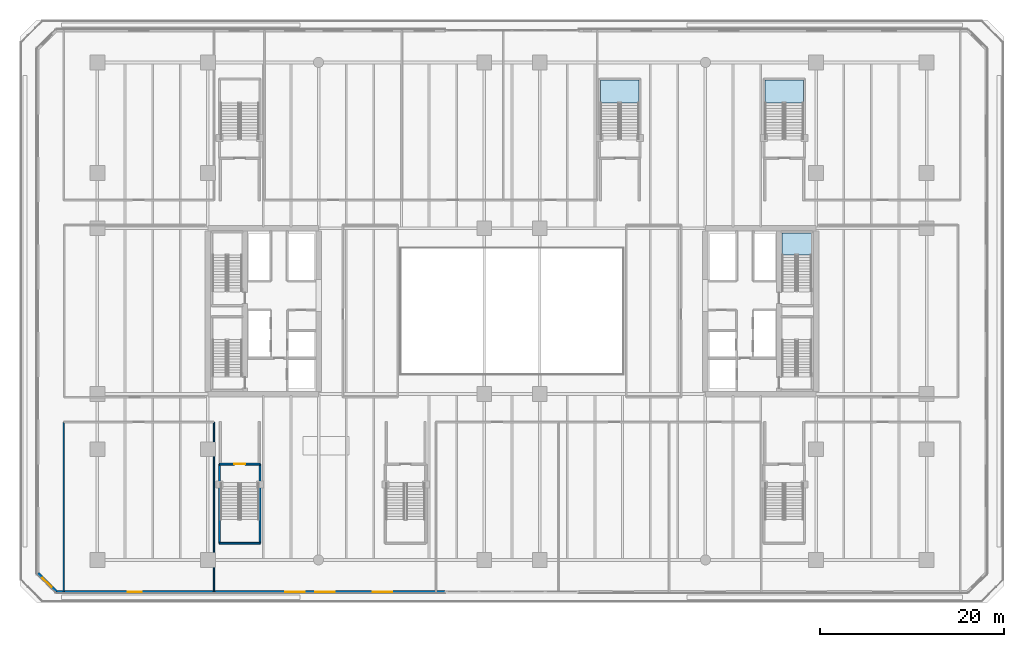
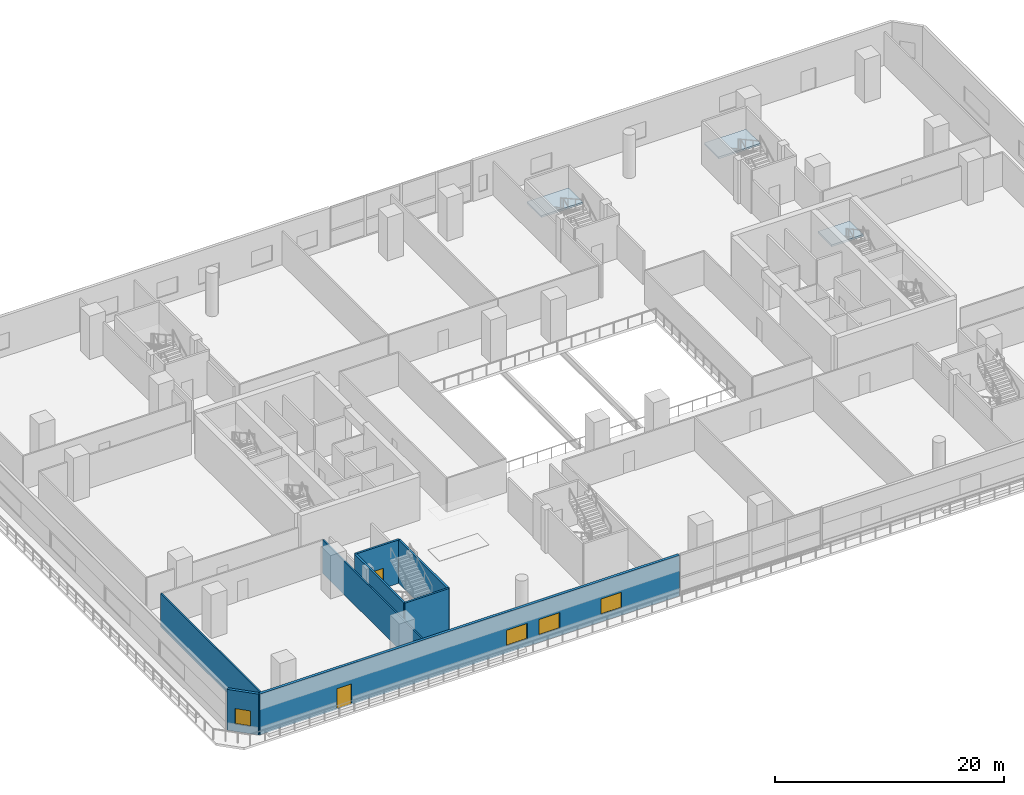
# One storey, part 9 of 27: 8 walls, 4 windows, 3 slabs, 2 doors, 6 openings, 3 elements without a shape of their own.
"""IFC4 building model written with IfcOpenShell, lengths in metres."""

from ifc_helpers import new_model, si_unit, direction, frame, frame_2d, origin, place, context, subcontext, project, spatial, polyline, rectangle, outline, extrude, material, layer, layer_set, type_object, element, fill, aggregate, save


model = new_model("IFC4")

# Units and contexts
model_context = context("Model", 3, precision=1e-05, world=origin(), true_north=direction((0.0, 1.0)))
body_context = subcontext(model_context, "Body", "Model", "MODEL_VIEW")
ifc_project = project(units=[si_unit("LENGTHUNIT", "METRE"), si_unit("AREAUNIT", "SQUARE_METRE"), si_unit("VOLUMEUNIT", "CUBIC_METRE"), si_unit("PLANEANGLEUNIT", "RADIAN"), si_unit("MASSUNIT", "GRAM", prefix="KILO")], contexts=[model_context])

# Site, building, storey
site_placement = place(None, origin())
site = spatial("IfcSite", under=ifc_project, at=site_placement, CompositionType="ELEMENT")
building_placement = place(site_placement, origin())
building = spatial("IfcBuilding", under=site, at=building_placement, Name="Tanjung Sevakor Pilgrim Tower", CompositionType="ELEMENT")
storey_placement = place(building_placement, frame((0.0, 0.0, 14.85009765625)))
storey = spatial("IfcBuildingStorey", under=building, at=storey_placement, Name="L04", CompositionType="ELEMENT", Elevation=14.85009765625)

# Stair, slab
ifc_material_1 = material(Name="Concrete C40/50", Category="concrete")
stair_type_1 = type_object("IfcStairType", Name="STAIR-ST-CR150", PredefinedType="HALF_TURN_STAIR", material=ifc_material_1)
stair_1_placement = place(storey_placement, origin())
stair_1 = element("IfcStair", 1, at=stair_1_placement, inside=storey, type_object=stair_type_1, Name="L04 East Core Exit Stair 2", PredefinedType="HALF_TURN_STAIR")
ifc_material_2 = material(Name="Concrete C40/50", Category="concrete")
ifc_layer_1 = layer(ifc_material_2, 0.199951171875)
ifc_layer_set_1 = layer_set([ifc_layer_1], Name="SL-LAND-200")
slab_type = type_object("IfcSlabType", Name="SL-LAND-200", PredefinedType="LANDING", material=ifc_layer_set_1)
slab_1_placement = place(storey_placement, frame((0.0, 0.0, 2.10986328125)))
slab_1 = element("IfcSlab", 2, at=slab_1_placement, type_object=slab_type, Name="TS-E2 landing 1", PredefinedType="LANDING", context=body_context, shape_type="SweptSolid", body=[
    extrude(outline(polyline([(89.5, 39.699951171875), (89.5, 42.10009765625), (86.300048828125, 42.10009765625), (86.300048828125, 39.699951171875), (89.5, 39.699951171875)])), origin(), (0.0, 0.0, 1.0), 0.199951171875),
])
aggregate(stair_1, [slab_1])

ifc_material_3 = material(Name="Concrete C40/50", Category="concrete")
stair_type_2 = type_object("IfcStairType", Name="STAIR-ST-PD200", PredefinedType="HALF_TURN_STAIR", material=ifc_material_3)
stair_2_placement = place(storey_placement, origin())
stair_2 = element("IfcStair", 3, at=stair_2_placement, inside=storey, type_object=stair_type_2, Name="L04 Podium North-Central Assembly Stair", PredefinedType="HALF_TURN_STAIR")
slab_2_placement = place(storey_placement, frame((0.0, 0.0, 2.10986328125)))
slab_2 = element("IfcSlab", 4, at=slab_2_placement, type_object=slab_type, Name="PS-4 landing 1", PredefinedType="LANDING", context=body_context, shape_type="SweptSolid", body=[
    extrude(outline(polyline([(70.800048828125, 56.199951171875), (70.800048828125, 58.699951171875), (66.60009765625, 58.699951171875), (66.60009765625, 56.199951171875), (70.800048828125, 56.199951171875)])), origin(), (0.0, 0.0, 1.0), 0.199951171875),
])
aggregate(stair_2, [slab_2])

stair_3_placement = place(storey_placement, origin())
stair_3 = element("IfcStair", 5, at=stair_3_placement, inside=storey, type_object=stair_type_2, Name="L04 Podium North-East Assembly Stair", PredefinedType="HALF_TURN_STAIR")
slab_3_placement = place(storey_placement, frame((0.0, 0.0, 2.10986328125)))
slab_3 = element("IfcSlab", 6, at=slab_3_placement, type_object=slab_type, Name="PS-6 landing 1", PredefinedType="LANDING", context=body_context, shape_type="SweptSolid", body=[
    extrude(outline(polyline([(88.64990234375, 56.199951171875), (88.64990234375, 58.699951171875), (84.449951171875, 58.699951171875), (84.449951171875, 56.199951171875), (88.64990234375, 56.199951171875)])), origin(), (0.0, 0.0, 1.0), 0.199951171875),
])
aggregate(stair_3, [slab_3])

# Walls
ifc_material_4 = material(Name="Concrete C40/50", Category="concrete")
ifc_layer_2 = layer(ifc_material_4, 0.14990234375)
ifc_layer_set_2 = layer_set([ifc_layer_2], Name="WT-COMP-150")
wall_type_1 = type_object("IfcWallType", Name="WT-COMP-150", PredefinedType="SOLIDWALL", material=ifc_layer_set_2)
for number, where, z_axis, x_axis, name in (
    (7, (8.35009765625, 3.139892578125, 0.0), (0.0, 0.0, 1.0), (0.0, 1.0, 0.0), "L04 Partition IW-L04-038"),
    (8, (24.64990234375, 3.139892578125, 0.0), (0.0, 0.0, 1.0), (0.0, 1.0, 0.0), "L04 Partition IW-L04-039"),
):
    element("IfcWall", number, at=place(storey_placement, frame(where, z_axis=z_axis, x_axis=x_axis)), inside=storey, type_object=wall_type_1, Name=name, PredefinedType="SOLIDWALL", context=body_context, shape_type="SweptSolid", body=[
        extrude(rectangle(XDim=18.41015625, YDim=0.14990234375, at=frame_2d((9.205078125, 0.0))), origin(), (0.0, 0.0, 1.0), 3.56005859375),
    ])

# Wall, openings, door, windows
ifc_material_5 = material(Name="Precast concrete C45/55", Category="concrete")
ifc_layer_3 = layer(ifc_material_5, 0.280029296875)
ifc_layer_set_3 = layer_set([ifc_layer_3], Name="WT-EW-STN2")
wall_type_2 = type_object("IfcWallType", Name="WT-EW-STN2", PredefinedType="SOLIDWALL", material=ifc_layer_set_3)
wall_1_placement = place(storey_placement, frame((7.55810546875, 3.139892578125, 0.0), z_axis=(0.0, 0.0, 1.0), x_axis=(1.0, 0.0, 0.0)))
wall_1 = element("IfcWall", 9, at=wall_1_placement, inside=storey, type_object=wall_type_2, Name="L04 Cascading Podium Limestone Wall S1", PredefinedType="SOLIDWALL", context=body_context, shape_type="SweptSolid", body=[
    extrude(rectangle(XDim=42.241943359375, YDim=0.280029296875, at=frame_2d((21.12109375, 0.0))), origin(), (0.0, 0.0, 1.0), 4.340087890625),
])
opening_1_placement = place(wall_1_placement, frame((7.75, 0.0, 0.0)))
opening_1 = element("IfcOpeningElement", 10, at=opening_1_placement, cuts=wall_1, Name="Opening ED-TER-1500", PredefinedType="OPENING", context=body_context, shape_type="SweptSolid", body=[
    extrude(rectangle(XDim=1.5, YDim=2.199951171875, at=frame_2d((0.75, 1.10009765625))), frame((0.0, 0.14990234375, 0.0), z_axis=(0.0, -1.0, 0.0), x_axis=(1.0, 0.0, 0.0)), (0.0, 0.0, 1.0), 0.300048828125),
])
opening_2_placement = place(wall_1_placement, frame((28.092041015625, 0.0, 0.780029296875)))
opening_2 = element("IfcOpeningElement", 11, at=opening_2_placement, cuts=wall_1, Name="Opening WN-P2-1660", PredefinedType="OPENING", context=body_context, shape_type="SweptSolid", body=[
    extrude(rectangle(XDim=2.10009765625, YDim=1.659912109375, at=frame_2d((1.050048828125, 0.830078125))), frame((0.0, 0.14990234375, 0.0), z_axis=(0.0, -1.0, 0.0), x_axis=(1.0, 0.0, 0.0)), (0.0, 0.0, 1.0), 0.300048828125),
])
opening_3_placement = place(wall_1_placement, frame((24.821044921875, 0.0, 0.780029296875)))
opening_3 = element("IfcOpeningElement", 12, at=opening_3_placement, cuts=wall_1, Name="Opening WN-P2-1660", PredefinedType="OPENING", context=body_context, shape_type="SweptSolid", body=[
    extrude(rectangle(XDim=2.10009765625, YDim=1.659912109375, at=frame_2d((1.050048828125, 0.830078125))), frame((0.0, 0.14990234375, 0.0), z_axis=(0.0, -1.0, 0.0), x_axis=(1.0, 0.0, 0.0)), (0.0, 0.0, 1.0), 0.300048828125),
])
opening_4_placement = place(wall_1_placement, frame((34.321044921875, 0.0, 0.780029296875)))
opening_4 = element("IfcOpeningElement", 13, at=opening_4_placement, cuts=wall_1, Name="Opening WN-P2-1660", PredefinedType="OPENING", context=body_context, shape_type="SweptSolid", body=[
    extrude(rectangle(XDim=2.10009765625, YDim=1.659912109375, at=frame_2d((1.050048828125, 0.830078125))), frame((0.0, 0.14990234375, 0.0), z_axis=(0.0, -1.0, 0.0), x_axis=(1.0, 0.0, 0.0)), (0.0, 0.0, 1.0), 0.300048828125),
])
ifc_material_6 = material(Name="Anodised Aluminium and Laminated Glass", Category="aluminium")
door_type_1 = type_object("IfcDoorType", Name="DTYP-ED-TER-1500", OperationType="DOUBLE_DOOR_SINGLE_SWING", PredefinedType="DOOR", material=ifc_material_6)
door_1_placement = place(opening_1_placement, frame((1.5, 0.0, 0.0), z_axis=(0.0, 0.0, 1.0), x_axis=(-1.0, 0.0, 0.0)))
door_1 = element("IfcDoor", 14, at=door_1_placement, inside=storey, type_object=door_type_1, Name="L04 Cascading Garden Terrace Door S", OperationType="SINGLE_SWING_RIGHT", OverallHeight=2.199951171875, OverallWidth=1.5, PredefinedType="DOOR", context=body_context, shape_type="SweptSolid", body=[
    extrude(rectangle(XDim=1.5, YDim=2.199951171875, at=frame_2d((0.75, 1.10009765625))), frame((0.0, 0.02490234375, 0.0), z_axis=(0.0, -1.0, 0.0), x_axis=(1.0, 0.0, 0.0)), (0.0, 0.0, 1.0), 0.050048828125),
])
fill(opening_1, door_1)
ifc_material_7 = material(Name="Thermally Broken Aluminium and Low-E Glass", Category="aluminium")
window_type_1 = type_object("IfcWindowType", Name="WTYP-WN-P2-1660", PartitioningType="DOUBLE_PANEL_VERTICAL", PredefinedType="WINDOW", material=ifc_material_7)
window_1_placement = place(opening_2_placement, origin())
window_1 = element("IfcWindow", 15, at=window_1_placement, inside=storey, type_object=window_type_1, Name="L04 Facade Window 01", OverallHeight=1.659912109375, OverallWidth=2.10009765625, PartitioningType="SINGLE_PANEL", PredefinedType="WINDOW", context=body_context, shape_type="SweptSolid", body=[
    extrude(rectangle(XDim=2.10009765625, YDim=1.659912109375, at=frame_2d((1.050048828125, 0.830078125))), frame((0.0, 0.030029296875, 0.0), z_axis=(0.0, -1.0, 0.0), x_axis=(1.0, 0.0, 0.0)), (0.0, 0.0, 1.0), 0.06005859375),
])
fill(opening_2, window_1)
window_2_placement = place(opening_3_placement, origin())
window_2 = element("IfcWindow", 16, at=window_2_placement, inside=storey, type_object=window_type_1, Name="L04 Facade Window 02", OverallHeight=1.659912109375, OverallWidth=2.10009765625, PartitioningType="SINGLE_PANEL", PredefinedType="WINDOW", context=body_context, shape_type="SweptSolid", body=[
    extrude(rectangle(XDim=2.10009765625, YDim=1.659912109375, at=frame_2d((1.050048828125, 0.830078125))), frame((0.0, 0.030029296875, 0.0), z_axis=(0.0, -1.0, 0.0), x_axis=(1.0, 0.0, 0.0)), (0.0, 0.0, 1.0), 0.06005859375),
])
fill(opening_3, window_2)
window_3_placement = place(opening_4_placement, origin())
window_3 = element("IfcWindow", 17, at=window_3_placement, inside=storey, type_object=window_type_1, Name="L04 Facade Window 03", OverallHeight=1.659912109375, OverallWidth=2.10009765625, PartitioningType="SINGLE_PANEL", PredefinedType="WINDOW", context=body_context, shape_type="SweptSolid", body=[
    extrude(rectangle(XDim=2.10009765625, YDim=1.659912109375, at=frame_2d((1.050048828125, 0.830078125))), frame((0.0, 0.030029296875, 0.0), z_axis=(0.0, -1.0, 0.0), x_axis=(1.0, 0.0, 0.0)), (0.0, 0.0, 1.0), 0.06005859375),
])
fill(opening_4, window_3)

# Wall, opening, window
wall_2_placement = place(storey_placement, frame((5.5400390625, 5.157958984375, 0.0), z_axis=(0.0, 0.0, 1.0), x_axis=(0.707106781187, -0.707106781187, 0.0)))
wall_2 = element("IfcWall", 18, at=wall_2_placement, inside=storey, type_object=wall_type_2, Name="L04 MAIN Exterior Wall 8", PredefinedType="SOLIDWALL", context=body_context, shape_type="SweptSolid", body=[
    extrude(rectangle(XDim=2.85400390625, YDim=0.280029296875, at=frame_2d((1.427001953125, 0.0))), origin(), (0.0, 0.0, 1.0), 4.340087890625),
])
opening_5_placement = place(wall_2_placement, frame((0.726806640625, 0.0, 0.780029296875)))
opening_5 = element("IfcOpeningElement", 19, at=opening_5_placement, cuts=wall_2, Name="Opening WN-END", PredefinedType="OPENING", context=body_context, shape_type="SweptSolid", body=[
    extrude(rectangle(XDim=1.39990234375, YDim=1.64990234375, at=frame_2d((0.699951171875, 0.824951171875))), frame((0.0, 0.14990234375, 0.0), z_axis=(0.0, -1.0, 0.0), x_axis=(1.0, 0.0, 0.0)), (0.0, 0.0, 1.0), 0.300048828125),
])
ifc_material_8 = material(Name="Thermally Broken Aluminium and Low-E Glass", Category="aluminium")
window_type_2 = type_object("IfcWindowType", Name="WTYP-WN-END", PartitioningType="SINGLE_PANEL", PredefinedType="WINDOW", material=ifc_material_8)
window_4_placement = place(opening_5_placement, origin())
window_4 = element("IfcWindow", 20, at=window_4_placement, inside=storey, type_object=window_type_2, Name="L04 Facade Window 01", OverallHeight=1.64990234375, OverallWidth=1.39990234375, PartitioningType="SINGLE_PANEL", PredefinedType="WINDOW", context=body_context, shape_type="SweptSolid", body=[
    extrude(rectangle(XDim=1.39990234375, YDim=1.64990234375, at=frame_2d((0.699951171875, 0.824951171875))), frame((0.0, 0.030029296875, 0.0), z_axis=(0.0, -1.0, 0.0), x_axis=(1.0, 0.0, 0.0)), (0.0, 0.0, 1.0), 0.06005859375),
])
fill(opening_5, window_4)

# Walls
ifc_material_9 = material(Name="Concrete C40/50", Category="concrete")
ifc_layer_4 = layer(ifc_material_9, 0.199951171875)
ifc_layer_set_4 = layer_set([ifc_layer_4], Name="WT-FIRE-200")
wall_type_3 = type_object("IfcWallType", Name="WT-FIRE-200", PredefinedType="SOLIDWALL", material=ifc_layer_set_4)
wall_3_placement = place(storey_placement, frame((25.25, 8.39990234375, 0.0), z_axis=(0.0, 0.0, 1.0), x_axis=(1.0, 0.0, 0.0)))
element("IfcWall", 21, at=wall_3_placement, inside=storey, type_object=wall_type_3, Name="L04 PS-1 Shaft Wall 1", PredefinedType="SOLIDWALL", context=body_context, shape_type="SweptSolid", body=[
    extrude(rectangle(XDim=4.39990234375, YDim=0.199951171875, at=frame_2d((2.199951171875, 0.0))), origin(), (0.0, 0.0, 1.0), 4.619873046875),
])
wall_4_placement = place(storey_placement, frame((29.64990234375, 8.39990234375, 0.0), z_axis=(0.0, 0.0, 1.0), x_axis=(0.0, 1.0, 0.0)))
element("IfcWall", 22, at=wall_4_placement, inside=storey, type_object=wall_type_3, Name="L04 PS-1 Shaft Wall 2", PredefinedType="SOLIDWALL", context=body_context, shape_type="SweptSolid", body=[
    extrude(rectangle(XDim=8.60009765625, YDim=0.199951171875, at=frame_2d((4.300048828125, 0.0))), origin(), (0.0, 0.0, 1.0), 4.619873046875),
])

# Wall, opening, door
wall_5_placement = place(storey_placement, frame((29.64990234375, 17.0, 0.0), z_axis=(0.0, 0.0, 1.0), x_axis=(-1.0, 0.0, 0.0)))
wall_5 = element("IfcWall", 23, at=wall_5_placement, inside=storey, type_object=wall_type_3, Name="L04 PS-1 Shaft Wall 3", PredefinedType="SOLIDWALL", context=body_context, shape_type="SweptSolid", body=[
    extrude(rectangle(XDim=4.39990234375, YDim=0.199951171875, at=frame_2d((2.199951171875, 0.0))), origin(), (0.0, 0.0, 1.0), 4.619873046875),
])
opening_6_placement = place(wall_5_placement, frame((1.625, 0.0, 0.0)))
opening_6 = element("IfcOpeningElement", 24, at=opening_6_placement, cuts=wall_5, Name="Opening ID-ST1", PredefinedType="OPENING", context=body_context, shape_type="SweptSolid", body=[
    extrude(rectangle(XDim=1.14990234375, YDim=2.14990234375, at=frame_2d((0.574951171875, 1.074951171875))), frame((0.0, 0.10986328125, 0.0), z_axis=(0.0, -1.0, 0.0), x_axis=(1.0, 0.0, 0.0)), (0.0, 0.0, 1.0), 0.219970703125),
])
ifc_material_10 = material(Name="Fire-Rated Steel S355J2", Category="steel")
door_type_2 = type_object("IfcDoorType", Name="DT-FIRE-1150", OperationType="NOTDEFINED", PredefinedType="DOOR", material=ifc_material_10)
door_2_placement = place(opening_6_placement, origin())
door_2 = element("IfcDoor", 25, at=door_2_placement, inside=storey, type_object=door_type_2, Name="L04 PS-1 Stair Entry Fire Door", OperationType="SINGLE_SWING_RIGHT", OverallHeight=2.14990234375, OverallWidth=1.14990234375, PredefinedType="DOOR", context=body_context, shape_type="SweptSolid", body=[
    extrude(rectangle(XDim=1.14990234375, YDim=2.14990234375, at=frame_2d((0.574951171875, 1.074951171875))), frame((0.0, 0.02490234375, 0.0), z_axis=(0.0, -1.0, 0.0), x_axis=(1.0, 0.0, 0.0)), (0.0, 0.0, 1.0), 0.050048828125),
])
fill(opening_6, door_2)

# Wall
wall_6_placement = place(storey_placement, frame((25.25, 17.0, 0.0), z_axis=(0.0, 0.0, 1.0), x_axis=(0.0, -1.0, 0.0)))
element("IfcWall", 26, at=wall_6_placement, inside=storey, type_object=wall_type_3, Name="L04 PS-1 Shaft Wall 4", PredefinedType="SOLIDWALL", context=body_context, shape_type="SweptSolid", body=[
    extrude(rectangle(XDim=8.60009765625, YDim=0.199951171875, at=frame_2d((4.300048828125, 0.0))), origin(), (0.0, 0.0, 1.0), 4.619873046875),
])

save(model, "model.ifc")
